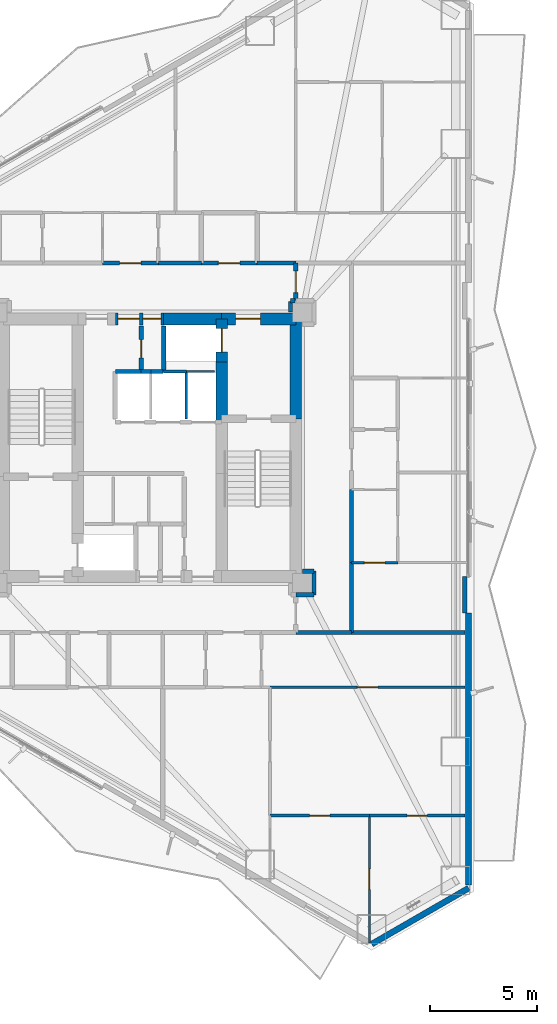
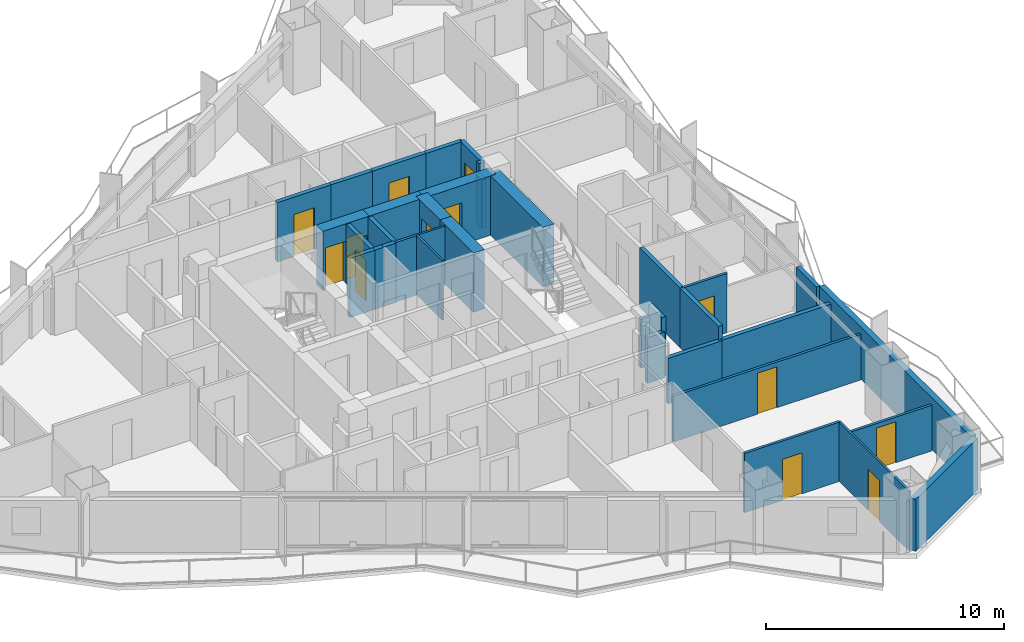
# One storey, part 15 of 19: 36 walls, 13 doors, 13 openings.
"""IFC4 building model written with IfcOpenShell, lengths in metres."""

from ifc_helpers import new_model, si_unit, direction, frame, frame_2d, origin, place, context, subcontext, project, spatial, rectangle, extrude, material, layer, layer_set, type_object, element, fill, save


model = new_model("IFC4")

# Units and contexts
model_context = context("Model", 3, precision=1e-05, world=origin(), true_north=direction((0.0, 1.0)))
body_context = subcontext(model_context, "Body", "Model", "MODEL_VIEW")
ifc_project = project(units=[si_unit("LENGTHUNIT", "METRE"), si_unit("AREAUNIT", "SQUARE_METRE"), si_unit("VOLUMEUNIT", "CUBIC_METRE"), si_unit("PLANEANGLEUNIT", "RADIAN"), si_unit("MASSUNIT", "GRAM", prefix="KILO")], contexts=[model_context])

# Site, building, storey
site_placement = place(None, origin())
site = spatial("IfcSite", under=ifc_project, at=site_placement, CompositionType="ELEMENT")
building_placement = place(site_placement, origin())
building = spatial("IfcBuilding", under=site, at=building_placement, Name="Mersakhor Tower and Convention Hall", CompositionType="ELEMENT")
storey_placement = place(building_placement, frame((0.0, 0.0, 25.800048828125)))
storey = spatial("IfcBuildingStorey", under=building, at=storey_placement, Name="L06", CompositionType="ELEMENT", Elevation=25.800048828125)

# Walls
ifc_material_1 = material(Name="Precast concrete C45/55", Category="concrete")
ifc_layer_1 = layer(ifc_material_1, 0.27490234375)
ifc_layer_set_1 = layer_set([ifc_layer_1], Name="Precast concrete C45/55")
wall_type_1 = type_object("IfcWallType", Name="WL-EXT-275", PredefinedType="SOLIDWALL", material=ifc_layer_set_1)
wall_1_placement = place(storey_placement, frame((43.85009765625, 6.240234375, 0.0), z_axis=(0.0, 0.0, 1.0), x_axis=(-0.866043601342, -0.499968479581, 0.0)))
element("IfcWall", 1, at=wall_1_placement, inside=storey, type_object=wall_type_1, Name="L06 Chamfer Braced Spandrel Wall C2", PredefinedType="SOLIDWALL", context=body_context, shape_type="SweptSolid", body=[
    extrude(rectangle(XDim=5.211181640625, YDim=0.27490234375, at=frame_2d((2.60546875, 0.0))), origin(), (0.0, 0.0, 1.0), 2.659912109375),
])
wall_2_placement = place(storey_placement, frame((43.85009765625, 19.0634765625, 0.0), z_axis=(0.0, 0.0, 1.0), x_axis=(0.0, -1.0, 0.0)))
element("IfcWall", 2, at=wall_2_placement, inside=storey, type_object=wall_type_1, Name="L06 Exterior Facade Wall F2-B3", PredefinedType="SOLIDWALL", context=body_context, shape_type="SweptSolid", body=[
    extrude(rectangle(XDim=12.673095703125, YDim=0.27490234375, at=frame_2d((6.33642578125, 0.0))), origin(), (0.0, 0.0, 1.0), 2.659912109375),
])
ifc_material_2 = material(Name="Precast concrete C40/50", Category="concrete")
ifc_layer_2 = layer(ifc_material_2, 0.199951171875)
ifc_layer_set_2 = layer_set([ifc_layer_2], Name="Precast concrete C40/50")
wall_type_2 = type_object("IfcWallType", Name="WL-PAR-200", PredefinedType="PARAPET", material=ifc_layer_set_2)
wall_3_placement = place(storey_placement, frame((43.669921875, 20.763427734375, 0.0), z_axis=(0.0, 0.0, 1.0), x_axis=(0.0, -1.0, 0.0)))
element("IfcWall", 3, at=wall_3_placement, inside=storey, type_object=wall_type_2, Name="L06 Column Pier Cladding Wall F2-C2", PredefinedType="PARAPET", context=body_context, shape_type="SweptSolid", body=[
    extrude(rectangle(XDim=1.699951171875, YDim=0.199951171875, at=frame_2d((0.85009765625, 0.0))), origin(), (0.0, 0.0, 1.0), 2.659912109375),
])
ifc_material_3 = material(Name="Lightweight gypsum partition", Category="other")
ifc_layer_3 = layer(ifc_material_3, 0.10009765625)
ifc_layer_set_3 = layer_set([ifc_layer_3], Name="Lightweight gypsum partition")
wall_type_3 = type_object("IfcWallType", Name="WL-PRT-100", PredefinedType="PARTITIONING", material=ifc_layer_set_3)
wall_4_placement = place(storey_placement, frame((32.02490234375, 30.300048828125, 0.0), z_axis=(0.0, 0.0, 1.0), x_axis=(-1.0, 0.0, 0.0)))
element("IfcWall", 4, at=wall_4_placement, inside=storey, type_object=wall_type_3, Name="L06 Interior Partition Wall P-004", PredefinedType="PARTITIONING", context=body_context, shape_type="SweptSolid", body=[
    extrude(rectangle(XDim=1.324951171875, YDim=0.10009765625, at=frame_2d((0.66259765625, 0.0))), origin(), (0.0, 0.0, 1.0), 3.0400390625),
])
wall_5_placement = place(storey_placement, frame((30.699951171875, 30.300048828125, 0.0), z_axis=(0.0, 0.0, 1.0), x_axis=(0.0, -1.0, 0.0)))
element("IfcWall", 5, at=wall_5_placement, inside=storey, type_object=wall_type_3, Name="L06 Interior Partition Wall P-018", PredefinedType="PARTITIONING", context=body_context, shape_type="SweptSolid", body=[
    extrude(rectangle(XDim=2.199951171875, YDim=0.10009765625, at=frame_2d((1.10009765625, 0.0))), origin(), (0.0, 0.0, 1.0), 3.0400390625),
])

# Wall, opening, door
wall_6_placement = place(storey_placement, frame((39.22998046875, 9.6201171875, 0.0), z_axis=(0.0, 0.0, 1.0), x_axis=(0.0, -1.0, 0.0)))
wall_6 = element("IfcWall", 6, at=wall_6_placement, inside=storey, type_object=wall_type_3, Name="L06 Interior Partition Wall P-136", PredefinedType="PARTITIONING", context=body_context, shape_type="SweptSolid", body=[
    extrude(rectangle(XDim=5.924072265625, YDim=0.10009765625, at=frame_2d((2.9619140625, 0.0))), origin(), (0.0, 0.0, 1.0), 3.0400390625),
])
opening_1_placement = place(wall_6_placement, frame((2.487060546875, 0.0, 0.0)))
opening_1 = element("IfcOpeningElement", 7, at=opening_1_placement, cuts=wall_6, Name="Opening RD-01", PredefinedType="OPENING", context=body_context, shape_type="SweptSolid", body=[
    extrude(rectangle(XDim=0.949951171875, YDim=2.10009765625, at=frame_2d((0.47509765625, 1.050048828125))), frame((0.0, 0.06005859375, 0.0), z_axis=(0.0, -1.0, 0.0), x_axis=(1.0, 0.0, 0.0)), (0.0, 0.0, 1.0), 0.1201171875),
])
ifc_material_4 = material(Name="Solid-core hardwood leaf in painted steel frame", Category="steel")
door_type_1 = type_object("IfcDoorType", Name="DR-INT-RM-095x210", OperationType="NOTDEFINED", PredefinedType="DOOR", material=ifc_material_4)
door_1_placement = place(opening_1_placement, origin())
door_1 = element("IfcDoor", 8, at=door_1_placement, inside=storey, type_object=door_type_1, Name="L06 L06 Flat S3 Bedroom 1 to L06 Flat S3 Study Room Door", OperationType="SINGLE_SWING_RIGHT", OverallHeight=2.10009765625, OverallWidth=0.949951171875, PredefinedType="DOOR", context=body_context, shape_type="SweptSolid", body=[
    extrude(rectangle(XDim=0.949951171875, YDim=2.10009765625, at=frame_2d((0.47509765625, 1.050048828125))), frame((0.0, 0.02490234375, 0.0), z_axis=(0.0, -1.0, 0.0), x_axis=(1.0, 0.0, 0.0)), (0.0, 0.0, 1.0), 0.050048828125),
])
fill(opening_1, door_1)

# Wall
ifc_material_5 = material(Name="Gypsum board acoustic partition", Category="other")
ifc_layer_4 = layer(ifc_material_5, 0.125)
ifc_layer_set_4 = layer_set([ifc_layer_4], Name="Gypsum board acoustic partition")
wall_type_4 = type_object("IfcWallType", Name="WL-PRT-125", PredefinedType="PARTITIONING", material=ifc_layer_set_4)
wall_7_placement = place(storey_placement, frame((30.699951171875, 30.300048828125, 0.0), z_axis=(0.0, 0.0, 1.0), x_axis=(-1.0, 0.0, 0.0)))
element("IfcWall", 9, at=wall_7_placement, inside=storey, type_object=wall_type_4, Name="L06 Interior Partition Wall P-005", PredefinedType="PARTITIONING", context=body_context, shape_type="SweptSolid", body=[
    extrude(rectangle(XDim=1.050048828125, YDim=0.125, at=frame_2d((0.52490234375, 0.0))), origin(), (0.0, 0.0, 1.0), 3.0400390625),
])

# Wall, opening, door
wall_8_placement = place(storey_placement, frame((43.6884765625, 15.60009765625, 0.0), z_axis=(0.0, 0.0, 1.0), x_axis=(-1.0, 0.0, 0.0)))
wall_8 = element("IfcWall", 10, at=wall_8_placement, inside=storey, type_object=wall_type_4, Name="L06 Interior Partition Wall P-095", PredefinedType="PARTITIONING", context=body_context, shape_type="SweptSolid", body=[
    extrude(rectangle(XDim=9.08837890625, YDim=0.125, at=frame_2d((4.544189453125, 0.0))), origin(), (0.0, 0.0, 1.0), 2.33740234375),
])
opening_2_placement = place(wall_8_placement, frame((4.069091796875, 0.0, 0.0)))
opening_2 = element("IfcOpeningElement", 11, at=opening_2_placement, cuts=wall_8, Name="Opening RD-01", PredefinedType="OPENING", context=body_context, shape_type="SweptSolid", body=[
    extrude(rectangle(XDim=0.949951171875, YDim=2.10009765625, at=frame_2d((0.47509765625, 1.050048828125))), frame((0.0, 0.072509765625, 0.0), z_axis=(0.0, -1.0, 0.0), x_axis=(1.0, 0.0, 0.0)), (0.0, 0.0, 1.0), 0.14501953125),
])
door_2_placement = place(opening_2_placement, origin())
door_2 = element("IfcDoor", 12, at=door_2_placement, inside=storey, type_object=door_type_1, Name="L06 L06 Flat S3 Kitchen to L06 Flat S3 Dining Room Door", OperationType="SINGLE_SWING_RIGHT", OverallHeight=2.10009765625, OverallWidth=0.949951171875, PredefinedType="DOOR", context=body_context, shape_type="SweptSolid", body=[
    extrude(rectangle(XDim=0.949951171875, YDim=2.10009765625, at=frame_2d((0.47509765625, 1.050048828125))), frame((0.0, 0.02490234375, 0.0), z_axis=(0.0, -1.0, 0.0), x_axis=(1.0, 0.0, 0.0)), (0.0, 0.0, 1.0), 0.050048828125),
])
fill(opening_2, door_2)

wall_9_placement = place(storey_placement, frame((38.39990234375, 21.39990234375, 0.0), z_axis=(0.0, 0.0, 1.0), x_axis=(1.0, 0.0, 0.0)))
wall_9 = element("IfcWall", 13, at=wall_9_placement, inside=storey, type_object=wall_type_4, Name="L06 Interior Partition Wall P-103", PredefinedType="PARTITIONING", context=body_context, shape_type="SweptSolid", body=[
    extrude(rectangle(XDim=2.150146484375, YDim=0.125, at=frame_2d((1.0751953125, 0.0))), origin(), (0.0, 0.0, 1.0), 3.0400390625),
])
opening_3_placement = place(wall_9_placement, frame((0.60009765625, 0.0, 0.0)))
opening_3 = element("IfcOpeningElement", 14, at=opening_3_placement, cuts=wall_9, Name="Opening RD-01", PredefinedType="OPENING", context=body_context, shape_type="SweptSolid", body=[
    extrude(rectangle(XDim=0.949951171875, YDim=2.10009765625, at=frame_2d((0.47509765625, 1.050048828125))), frame((0.0, 0.072509765625, 0.0), z_axis=(0.0, -1.0, 0.0), x_axis=(1.0, 0.0, 0.0)), (0.0, 0.0, 1.0), 0.14501953125),
])
door_3_placement = place(opening_3_placement, origin())
door_3 = element("IfcDoor", 15, at=door_3_placement, inside=storey, type_object=door_type_1, Name="L06 L06 Flat E5 Kitchen to L06 Flat E5 Dining Alcove Door", OperationType="SINGLE_SWING_RIGHT", OverallHeight=2.10009765625, OverallWidth=0.949951171875, PredefinedType="DOOR", context=body_context, shape_type="SweptSolid", body=[
    extrude(rectangle(XDim=0.949951171875, YDim=2.10009765625, at=frame_2d((0.47509765625, 1.050048828125))), frame((0.0, 0.02490234375, 0.0), z_axis=(0.0, -1.0, 0.0), x_axis=(1.0, 0.0, 0.0)), (0.0, 0.0, 1.0), 0.050048828125),
])
fill(opening_3, door_3)

wall_10_placement = place(storey_placement, frame((34.60009765625, 9.6201171875, 0.0), z_axis=(0.0, 0.0, 1.0), x_axis=(1.0, 0.0, 0.0)))
wall_10 = element("IfcWall", 16, at=wall_10_placement, inside=storey, type_object=wall_type_4, Name="L06 Interior Partition Wall P-135", PredefinedType="PARTITIONING", context=body_context, shape_type="SweptSolid", body=[
    extrude(rectangle(XDim=4.6298828125, YDim=0.125, at=frame_2d((2.31494140625, 0.0))), origin(), (0.0, 0.0, 1.0), 3.0400390625),
])
opening_4_placement = place(wall_10_placement, frame((1.840087890625, 0.0, 0.0)))
opening_4 = element("IfcOpeningElement", 17, at=opening_4_placement, cuts=wall_10, Name="Opening RD-01", PredefinedType="OPENING", context=body_context, shape_type="SweptSolid", body=[
    extrude(rectangle(XDim=0.949951171875, YDim=2.10009765625, at=frame_2d((0.47509765625, 1.050048828125))), frame((0.0, 0.072509765625, 0.0), z_axis=(0.0, -1.0, 0.0), x_axis=(1.0, 0.0, 0.0)), (0.0, 0.0, 1.0), 0.14501953125),
])
door_4_placement = place(opening_4_placement, origin())
door_4 = element("IfcDoor", 18, at=door_4_placement, inside=storey, type_object=door_type_1, Name="L06 L06 Flat S3 Bedroom 1 to L06 Flat S3 Dining Room Door", OperationType="SINGLE_SWING_LEFT", OverallHeight=2.10009765625, OverallWidth=0.949951171875, PredefinedType="DOOR", context=body_context, shape_type="SweptSolid", body=[
    extrude(rectangle(XDim=0.949951171875, YDim=2.10009765625, at=frame_2d((0.47509765625, 1.050048828125))), frame((0.0, 0.02490234375, 0.0), z_axis=(0.0, -1.0, 0.0), x_axis=(1.0, 0.0, 0.0)), (0.0, 0.0, 1.0), 0.050048828125),
])
fill(opening_4, door_4)

wall_11_placement = place(storey_placement, frame((39.22998046875, 9.6201171875, 0.0), z_axis=(0.0, 0.0, 1.0), x_axis=(1.0, 0.0, 0.0)))
wall_11 = element("IfcWall", 19, at=wall_11_placement, inside=storey, type_object=wall_type_4, Name="L06 Interior Partition Wall P-137", PredefinedType="PARTITIONING", context=body_context, shape_type="SweptSolid", body=[
    extrude(rectangle(XDim=4.45849609375, YDim=0.125, at=frame_2d((2.229248046875, 0.0))), origin(), (0.0, 0.0, 1.0), 2.33740234375),
])
opening_5_placement = place(wall_11_placement, frame((1.75439453125, 0.0, 0.0)))
opening_5 = element("IfcOpeningElement", 20, at=opening_5_placement, cuts=wall_11, Name="Opening RD-01", PredefinedType="OPENING", context=body_context, shape_type="SweptSolid", body=[
    extrude(rectangle(XDim=0.949951171875, YDim=2.10009765625, at=frame_2d((0.47509765625, 1.050048828125))), frame((0.0, 0.072509765625, 0.0), z_axis=(0.0, -1.0, 0.0), x_axis=(1.0, 0.0, 0.0)), (0.0, 0.0, 1.0), 0.14501953125),
])
door_5_placement = place(opening_5_placement, origin())
door_5 = element("IfcDoor", 21, at=door_5_placement, inside=storey, type_object=door_type_1, Name="L06 L06 Flat S3 Study Room to L06 Flat S3 Dining Room Door", OperationType="SINGLE_SWING_RIGHT", OverallHeight=2.10009765625, OverallWidth=0.949951171875, PredefinedType="DOOR", context=body_context, shape_type="SweptSolid", body=[
    extrude(rectangle(XDim=0.949951171875, YDim=2.10009765625, at=frame_2d((0.47509765625, 1.050048828125))), frame((0.0, 0.02490234375, 0.0), z_axis=(0.0, -1.0, 0.0), x_axis=(1.0, 0.0, 0.0)), (0.0, 0.0, 1.0), 0.050048828125),
])
fill(opening_5, door_5)

# Walls
ifc_material_6 = material(Name="Acoustic concrete blockwork and gypsum board", Category="masonry")
ifc_layer_5 = layer(ifc_material_6, 0.199951171875)
ifc_layer_set_5 = layer_set([ifc_layer_5], Name="Acoustic concrete blockwork and gypsum board")
wall_type_5 = type_object("IfcWallType", Name="WL-PRT-200", PredefinedType="PARTITIONING", material=ifc_layer_set_5)
wall_12_placement = place(storey_placement, frame((29.64990234375, 30.300048828125, 0.0), z_axis=(0.0, 0.0, 1.0), x_axis=(0.0, 1.0, 0.0)))
element("IfcWall", 22, at=wall_12_placement, inside=storey, type_object=wall_type_5, Name="L06 Interior Partition Wall P-006", PredefinedType="PARTITIONING", context=body_context, shape_type="SweptSolid", body=[
    extrude(rectangle(XDim=2.125, YDim=0.199951171875, at=frame_2d((1.0625, 0.0))), origin(), (0.0, 0.0, 1.0), 3.0400390625),
])
wall_13_placement = place(storey_placement, frame((27.39990234375, 30.300048828125, 0.0), z_axis=(0.0, 0.0, 1.0), x_axis=(1.0, 0.0, 0.0)))
element("IfcWall", 23, at=wall_13_placement, inside=storey, type_object=wall_type_5, Name="L06 Interior Partition Wall P-013", PredefinedType="PARTITIONING", context=body_context, shape_type="SweptSolid", body=[
    extrude(rectangle(XDim=1.2001953125, YDim=0.199951171875, at=frame_2d((0.60009765625, 0.0))), origin(), (0.0, 0.0, 1.0), 3.0400390625),
])
wall_14_placement = place(storey_placement, frame((28.60009765625, 30.300048828125, 0.0), z_axis=(0.0, 0.0, 1.0), x_axis=(1.0, 0.0, 0.0)))
element("IfcWall", 24, at=wall_14_placement, inside=storey, type_object=wall_type_5, Name="L06 Interior Partition Wall P-014", PredefinedType="PARTITIONING", context=body_context, shape_type="SweptSolid", body=[
    extrude(rectangle(XDim=0.449951171875, YDim=0.199951171875, at=frame_2d((0.22509765625, 0.0))), origin(), (0.0, 0.0, 1.0), 3.0400390625),
])
wall_15_placement = place(storey_placement, frame((29.050048828125, 30.300048828125, 0.0), z_axis=(0.0, 0.0, 1.0), x_axis=(1.0, 0.0, 0.0)))
element("IfcWall", 25, at=wall_15_placement, inside=storey, type_object=wall_type_5, Name="L06 Interior Partition Wall P-017", PredefinedType="PARTITIONING", context=body_context, shape_type="SweptSolid", body=[
    extrude(rectangle(XDim=0.570068359375, YDim=0.199951171875, at=frame_2d((0.28515625, 0.0))), origin(), (0.0, 0.0, 1.0), 3.0400390625),
])

# Wall, opening, door
wall_16_placement = place(storey_placement, frame((28.60009765625, 32.425048828125, 0.0), z_axis=(0.0, 0.0, 1.0), x_axis=(0.0, -1.0, 0.0)))
wall_16 = element("IfcWall", 26, at=wall_16_placement, inside=storey, type_object=wall_type_5, Name="L06 Interior Partition Wall P-020", PredefinedType="PARTITIONING", context=body_context, shape_type="SweptSolid", body=[
    extrude(rectangle(XDim=2.125, YDim=0.199951171875, at=frame_2d((1.0625, 0.0))), origin(), (0.0, 0.0, 1.0), 3.0400390625),
])
opening_6_placement = place(wall_16_placement, frame((0.637451171875, 0.0, 0.0)))
opening_6 = element("IfcOpeningElement", 27, at=opening_6_placement, cuts=wall_16, Name="Opening SVD-01", PredefinedType="OPENING", context=body_context, shape_type="SweptSolid", body=[
    extrude(rectangle(XDim=0.85009765625, YDim=2.10009765625, at=frame_2d((0.425048828125, 1.050048828125))), frame((0.0, 0.10986328125, 0.0), z_axis=(0.0, -1.0, 0.0), x_axis=(1.0, 0.0, 0.0)), (0.0, 0.0, 1.0), 0.219970703125),
])
ifc_material_7 = material(Name="Fire-rated hardwood leaf and painted steel frame", Category="steel")
door_type_2 = type_object("IfcDoorType", Name="DR-INT-SVC-085x210", OperationType="NOTDEFINED", PredefinedType="DOOR", material=ifc_material_7)
door_6_placement = place(opening_6_placement, origin())
door_6 = element("IfcDoor", 28, at=door_6_placement, inside=storey, type_object=door_type_2, Name="L06 Central Passenger Lift Lobby to Cleaner Store Room Door", OperationType="SINGLE_SWING_RIGHT", OverallHeight=2.10009765625, OverallWidth=0.85009765625, PredefinedType="DOOR", context=body_context, shape_type="SweptSolid", body=[
    extrude(rectangle(XDim=0.85009765625, YDim=2.10009765625, at=frame_2d((0.425048828125, 1.050048828125))), frame((0.0, 0.02490234375, 0.0), z_axis=(0.0, -1.0, 0.0), x_axis=(1.0, 0.0, 0.0)), (0.0, 0.0, 1.0), 0.050048828125),
])
fill(opening_6, door_6)

wall_17_placement = place(storey_placement, frame((26.800048828125, 35.35009765625, 0.0), z_axis=(0.0, 0.0, 1.0), x_axis=(1.0, 0.0, 0.0)))
wall_17 = element("IfcWall", 29, at=wall_17_placement, inside=storey, type_object=wall_type_5, Name="L06 Interior Partition Wall P-042", PredefinedType="PARTITIONING", context=body_context, shape_type="SweptSolid", body=[
    extrude(rectangle(XDim=2.599853515625, YDim=0.199951171875, at=frame_2d((1.2998046875, 0.0))), origin(), (0.0, 0.0, 1.0), 3.0400390625),
])
opening_7_placement = place(wall_17_placement, frame((0.800048828125, 0.0, 0.0)))
opening_7 = element("IfcOpeningElement", 30, at=opening_7_placement, cuts=wall_17, Name="Opening FD-01", PredefinedType="OPENING", context=body_context, shape_type="SweptSolid", body=[
    extrude(rectangle(XDim=1.0, YDim=2.14990234375, at=frame_2d((0.5, 1.074951171875))), frame((0.0, 0.10986328125, 0.0), z_axis=(0.0, -1.0, 0.0), x_axis=(1.0, 0.0, 0.0)), (0.0, 0.0, 1.0), 0.219970703125),
])
ifc_material_8 = material(Name="Fire-rated hardwood leaf and painted steel frame", Category="steel")
door_type_3 = type_object("IfcDoorType", Name="DR-INT-FLT-100x215", OperationType="NOTDEFINED", PredefinedType="DOOR", material=ifc_material_8)
door_7_placement = place(opening_7_placement, origin())
door_7 = element("IfcDoor", 31, at=door_7_placement, inside=storey, type_object=door_type_3, Name="L06 Apartment Entrance Door (Residential Ring Corridor to L06 Flat N1 Apartment Hall)", OperationType="SINGLE_SWING_LEFT", OverallHeight=2.14990234375, OverallWidth=1.0, PredefinedType="DOOR", context=body_context, shape_type="SweptSolid", body=[
    extrude(rectangle(XDim=1.0, YDim=2.14990234375, at=frame_2d((0.5, 1.074951171875))), frame((0.0, 0.02490234375, 0.0), z_axis=(0.0, -1.0, 0.0), x_axis=(1.0, 0.0, 0.0)), (0.0, 0.0, 1.0), 0.050048828125),
])
fill(opening_7, door_7)

# Wall
wall_18_placement = place(storey_placement, frame((29.39990234375, 35.35009765625, 0.0), z_axis=(0.0, 0.0, 1.0), x_axis=(1.0, 0.0, 0.0)))
element("IfcWall", 32, at=wall_18_placement, inside=storey, type_object=wall_type_5, Name="L06 Interior Partition Wall P-043", PredefinedType="PARTITIONING", context=body_context, shape_type="SweptSolid", body=[
    extrude(rectangle(XDim=2.0, YDim=0.199951171875, at=frame_2d((1.0, 0.0))), origin(), (0.0, 0.0, 1.0), 3.0400390625),
])

# Wall, opening, door
wall_19_placement = place(storey_placement, frame((31.39990234375, 35.35009765625, 0.0), z_axis=(0.0, 0.0, 1.0), x_axis=(1.0, 0.0, 0.0)))
wall_19 = element("IfcWall", 33, at=wall_19_placement, inside=storey, type_object=wall_type_5, Name="L06 Interior Partition Wall P-044", PredefinedType="PARTITIONING", context=body_context, shape_type="SweptSolid", body=[
    extrude(rectangle(XDim=2.60009765625, YDim=0.199951171875, at=frame_2d((1.300048828125, 0.0))), origin(), (0.0, 0.0, 1.0), 3.0400390625),
])
opening_8_placement = place(wall_19_placement, frame((0.800048828125, 0.0, 0.0)))
opening_8 = element("IfcOpeningElement", 34, at=opening_8_placement, cuts=wall_19, Name="Opening FD-01", PredefinedType="OPENING", context=body_context, shape_type="SweptSolid", body=[
    extrude(rectangle(XDim=1.0, YDim=2.14990234375, at=frame_2d((0.5, 1.074951171875))), frame((0.0, 0.10986328125, 0.0), z_axis=(0.0, -1.0, 0.0), x_axis=(1.0, 0.0, 0.0)), (0.0, 0.0, 1.0), 0.219970703125),
])
door_8_placement = place(opening_8_placement, origin())
door_8 = element("IfcDoor", 35, at=door_8_placement, inside=storey, type_object=door_type_3, Name="L06 Residential Ring Corridor to L06 North Wing Shared Laundry Room Door", OperationType="SINGLE_SWING_RIGHT", OverallHeight=2.14990234375, OverallWidth=1.0, PredefinedType="DOOR", context=body_context, shape_type="SweptSolid", body=[
    extrude(rectangle(XDim=1.0, YDim=2.14990234375, at=frame_2d((0.5, 1.074951171875))), frame((0.0, 0.02490234375, 0.0), z_axis=(0.0, -1.0, 0.0), x_axis=(1.0, 0.0, 0.0)), (0.0, 0.0, 1.0), 0.050048828125),
])
fill(opening_8, door_8)

# Wall
wall_20_placement = place(storey_placement, frame((34.0, 35.35009765625, 0.0), z_axis=(0.0, 0.0, 1.0), x_axis=(1.0, 0.0, 0.0)))
element("IfcWall", 36, at=wall_20_placement, inside=storey, type_object=wall_type_5, Name="L06 Interior Partition Wall P-045", PredefinedType="PARTITIONING", context=body_context, shape_type="SweptSolid", body=[
    extrude(rectangle(XDim=1.800048828125, YDim=0.199951171875, at=frame_2d((0.89990234375, 0.0))), origin(), (0.0, 0.0, 1.0), 3.0400390625),
])

# Wall, opening, door
wall_21_placement = place(storey_placement, frame((35.800048828125, 35.35009765625, 0.0), z_axis=(0.0, 0.0, 1.0), x_axis=(0.0, -1.0, 0.0)))
wall_21 = element("IfcWall", 37, at=wall_21_placement, inside=storey, type_object=wall_type_5, Name="L06 Interior Partition Wall P-046", PredefinedType="PARTITIONING", context=body_context, shape_type="SweptSolid", body=[
    extrude(rectangle(XDim=1.75, YDim=0.199951171875, at=frame_2d((0.875, 0.0))), origin(), (0.0, 0.0, 1.0), 3.0400390625),
])
opening_9_placement = place(wall_21_placement, frame((0.375, 0.0, 0.0)))
opening_9 = element("IfcOpeningElement", 38, at=opening_9_placement, cuts=wall_21, Name="Opening FD-01", PredefinedType="OPENING", context=body_context, shape_type="SweptSolid", body=[
    extrude(rectangle(XDim=1.0, YDim=2.14990234375, at=frame_2d((0.5, 1.074951171875))), frame((0.0, 0.10986328125, 0.0), z_axis=(0.0, -1.0, 0.0), x_axis=(1.0, 0.0, 0.0)), (0.0, 0.0, 1.0), 0.219970703125),
])
door_9_placement = place(opening_9_placement, origin())
door_9 = element("IfcDoor", 39, at=door_9_placement, inside=storey, type_object=door_type_3, Name="L06 Ring Corridor Fire Door", OperationType="SINGLE_SWING_RIGHT", OverallHeight=2.14990234375, OverallWidth=1.0, PredefinedType="DOOR", context=body_context, shape_type="SweptSolid", body=[
    extrude(rectangle(XDim=1.0, YDim=2.14990234375, at=frame_2d((0.5, 1.074951171875))), frame((0.0, 0.02490234375, 0.0), z_axis=(0.0, -1.0, 0.0), x_axis=(1.0, 0.0, 0.0)), (0.0, 0.0, 1.0), 0.050048828125),
])
fill(opening_9, door_9)

# Walls
wall_22_placement = place(storey_placement, frame((35.77001953125, 33.60009765625, 0.0), z_axis=(0.0, 0.0, 1.0), x_axis=(-1.0, 0.0, 0.0)))
element("IfcWall", 40, at=wall_22_placement, inside=storey, type_object=wall_type_5, Name="L06 Interior Partition Wall P-047", PredefinedType="PARTITIONING", context=body_context, shape_type="SweptSolid", body=[
    extrude(rectangle(XDim=0.219970703125, YDim=0.199951171875, at=frame_2d((0.10986328125, 0.0))), origin(), (0.0, 0.0, 1.0), 3.0400390625),
])
wall_23_placement = place(storey_placement, frame((35.550048828125, 33.570068359375, 0.0), z_axis=(0.0, 0.0, 1.0), x_axis=(0.0, -1.0, 0.0)))
element("IfcWall", 41, at=wall_23_placement, inside=storey, type_object=wall_type_5, Name="L06 Interior Partition Wall P-048", PredefinedType="PARTITIONING", context=body_context, shape_type="SweptSolid", body=[
    extrude(rectangle(XDim=0.4951171875, YDim=0.199951171875, at=frame_2d((0.24755859375, 0.0))), origin(), (0.0, 0.0, 1.0), 2.48828125),
])
wall_24_placement = place(storey_placement, frame((36.64990234375, 21.0, 0.0), z_axis=(0.0, 0.0, 1.0), x_axis=(-1.0, 0.0, 0.0)))
element("IfcWall", 42, at=wall_24_placement, inside=storey, type_object=wall_type_5, Name="L06 Interior Partition Wall P-055", PredefinedType="PARTITIONING", context=body_context, shape_type="SweptSolid", body=[
    extrude(rectangle(XDim=0.52490234375, YDim=0.199951171875, at=frame_2d((0.262451171875, 0.0))), origin(), (0.0, 0.0, 1.0), 2.48828125),
])
wall_25_placement = place(storey_placement, frame((38.39990234375, 24.800048828125, 0.0), z_axis=(0.0, 0.0, 1.0), x_axis=(0.0, -1.0, 0.0)))
element("IfcWall", 43, at=wall_25_placement, inside=storey, type_object=wall_type_5, Name="L06 Interior Partition Wall P-063", PredefinedType="PARTITIONING", context=body_context, shape_type="SweptSolid", body=[
    extrude(rectangle(XDim=3.400146484375, YDim=0.199951171875, at=frame_2d((1.7001953125, 0.0))), origin(), (0.0, 0.0, 1.0), 3.0400390625),
])
wall_26_placement = place(storey_placement, frame((38.39990234375, 21.39990234375, 0.0), z_axis=(0.0, 0.0, 1.0), x_axis=(0.0, -1.0, 0.0)))
element("IfcWall", 44, at=wall_26_placement, inside=storey, type_object=wall_type_5, Name="L06 Interior Partition Wall P-064", PredefinedType="PARTITIONING", context=body_context, shape_type="SweptSolid", body=[
    extrude(rectangle(XDim=3.25, YDim=0.199951171875, at=frame_2d((1.625, 0.0))), origin(), (0.0, 0.0, 1.0), 3.0400390625),
])
wall_27_placement = place(storey_placement, frame((38.39990234375, 18.14990234375, 0.0), z_axis=(0.0, 0.0, 1.0), x_axis=(-1.0, 0.0, 0.0)))
element("IfcWall", 45, at=wall_27_placement, inside=storey, type_object=wall_type_5, Name="L06 Interior Partition Wall P-065", PredefinedType="PARTITIONING", context=body_context, shape_type="SweptSolid", body=[
    extrude(rectangle(XDim=2.599853515625, YDim=0.199951171875, at=frame_2d((1.2998046875, 0.0))), origin(), (0.0, 0.0, 1.0), 2.33740234375),
])
wall_28_placement = place(storey_placement, frame((35.800048828125, 19.89990234375, 0.0), z_axis=(0.0, 0.0, 1.0), x_axis=(1.0, 0.0, 0.0)))
element("IfcWall", 46, at=wall_28_placement, inside=storey, type_object=wall_type_5, Name="L06 Interior Partition Wall P-066", PredefinedType="PARTITIONING", context=body_context, shape_type="SweptSolid", body=[
    extrude(rectangle(XDim=0.849853515625, YDim=0.199951171875, at=frame_2d((0.4248046875, 0.0))), origin(), (0.0, 0.0, 1.0), 2.33740234375),
])
wall_29_placement = place(storey_placement, frame((36.64990234375, 19.89990234375, 0.0), z_axis=(0.0, 0.0, 1.0), x_axis=(0.0, 1.0, 0.0)))
element("IfcWall", 47, at=wall_29_placement, inside=storey, type_object=wall_type_5, Name="L06 Interior Partition Wall P-067", PredefinedType="PARTITIONING", context=body_context, shape_type="SweptSolid", body=[
    extrude(rectangle(XDim=1.10009765625, YDim=0.199951171875, at=frame_2d((0.550048828125, 0.0))), origin(), (0.0, 0.0, 1.0), 3.0400390625),
])
wall_30_placement = place(storey_placement, frame((38.39990234375, 18.14990234375, 0.0), z_axis=(0.0, 0.0, 1.0), x_axis=(1.0, 0.0, 0.0)))
element("IfcWall", 48, at=wall_30_placement, inside=storey, type_object=wall_type_5, Name="L06 Interior Partition Wall P-094", PredefinedType="PARTITIONING", context=body_context, shape_type="SweptSolid", body=[
    extrude(rectangle(XDim=5.28857421875, YDim=0.199951171875, at=frame_2d((2.644287109375, 0.0))), origin(), (0.0, 0.0, 1.0), 2.364990234375),
])

# Wall, openings, doors
ifc_material_9 = material(Name="Concrete C70/85", Category="concrete")
ifc_layer_6 = layer(ifc_material_9, 0.550048828125)
ifc_layer_set_6 = layer_set([ifc_layer_6], Name="Concrete C70/85")
wall_type_6 = type_object("IfcWallType", Name="WL-SHR-550", PredefinedType="SHEAR", material=ifc_layer_set_6)
wall_31_placement = place(storey_placement, frame((27.39990234375, 32.75, 0.0), z_axis=(0.0, 0.0, 1.0), x_axis=(1.0, 0.0, 0.0)))
wall_31 = element("IfcWall", 49, at=wall_31_placement, inside=storey, type_object=wall_type_6, Name="L06 Core Wall CW-N2B", PredefinedType="SHEAR", context=body_context, shape_type="SweptSolid", body=[
    extrude(rectangle(XDim=2.25, YDim=0.550048828125, at=frame_2d((1.125, 0.0))), origin(), (0.0, 0.0, 1.0), 3.0400390625),
])
opening_10_placement = place(wall_31_placement, frame((0.1201171875, 0.0, 0.0)))
opening_10 = element("IfcOpeningElement", 50, at=opening_10_placement, cuts=wall_31, Name="Opening FD-01", PredefinedType="OPENING", context=body_context, shape_type="SweptSolid", body=[
    extrude(rectangle(XDim=1.0, YDim=2.14990234375, at=frame_2d((0.5, 1.074951171875))), frame((0.0, 0.284912109375, 0.0), z_axis=(0.0, -1.0, 0.0), x_axis=(1.0, 0.0, 0.0)), (0.0, 0.0, 1.0), 0.570068359375),
])
opening_11_placement = place(wall_31_placement, frame((1.280029296875, 0.0, 0.0)))
opening_11 = element("IfcOpeningElement", 51, at=opening_11_placement, cuts=wall_31, Name="Opening SVD-01", PredefinedType="OPENING", context=body_context, shape_type="SweptSolid", body=[
    extrude(rectangle(XDim=0.85009765625, YDim=2.10009765625, at=frame_2d((0.425048828125, 1.050048828125))), frame((0.0, 0.284912109375, 0.0), z_axis=(0.0, -1.0, 0.0), x_axis=(1.0, 0.0, 0.0)), (0.0, 0.0, 1.0), 0.570068359375),
])
door_10_placement = place(opening_10_placement, origin())
door_10 = element("IfcDoor", 52, at=door_10_placement, inside=storey, type_object=door_type_3, Name="L06 Central Passenger Lift Lobby to Residential Ring Corridor Door", OperationType="SINGLE_SWING_RIGHT", OverallHeight=2.14990234375, OverallWidth=1.0, PredefinedType="DOOR", context=body_context, shape_type="SweptSolid", body=[
    extrude(rectangle(XDim=1.0, YDim=2.14990234375, at=frame_2d((0.5, 1.074951171875))), frame((0.0, 0.02490234375, 0.0), z_axis=(0.0, -1.0, 0.0), x_axis=(1.0, 0.0, 0.0)), (0.0, 0.0, 1.0), 0.050048828125),
])
fill(opening_10, door_10)
door_11_placement = place(opening_11_placement, origin())
door_11 = element("IfcDoor", 53, at=door_11_placement, inside=storey, type_object=door_type_2, Name="L06 Residential Ring Corridor to Cleaner Store Room Door", OperationType="SINGLE_SWING_LEFT", OverallHeight=2.10009765625, OverallWidth=0.85009765625, PredefinedType="DOOR", context=body_context, shape_type="SweptSolid", body=[
    extrude(rectangle(XDim=0.85009765625, YDim=2.10009765625, at=frame_2d((0.425048828125, 1.050048828125))), frame((0.0, 0.02490234375, 0.0), z_axis=(0.0, -1.0, 0.0), x_axis=(1.0, 0.0, 0.0)), (0.0, 0.0, 1.0), 0.050048828125),
])
fill(opening_11, door_11)

# Wall
wall_32_placement = place(storey_placement, frame((29.64990234375, 32.75, 0.0), z_axis=(0.0, 0.0, 1.0), x_axis=(1.0, 0.0, 0.0)))
element("IfcWall", 54, at=wall_32_placement, inside=storey, type_object=wall_type_6, Name="L06 Core Wall CW-N3", PredefinedType="SHEAR", context=body_context, shape_type="SweptSolid", body=[
    extrude(rectangle(XDim=2.7001953125, YDim=0.550048828125, at=frame_2d((1.35009765625, 0.0))), origin(), (0.0, 0.0, 1.0), 3.0400390625),
])

# Wall, opening, door
wall_33_placement = place(storey_placement, frame((32.35009765625, 32.75, 0.0), z_axis=(0.0, 0.0, 1.0), x_axis=(1.0, 0.0, 0.0)))
wall_33 = element("IfcWall", 55, at=wall_33_placement, inside=storey, type_object=wall_type_6, Name="L06 Core Wall CW-N4", PredefinedType="SHEAR", context=body_context, shape_type="SweptSolid", body=[
    extrude(rectangle(XDim=3.449951171875, YDim=0.550048828125, at=frame_2d((1.72509765625, 0.0))), origin(), (0.0, 0.0, 1.0), 3.0400390625),
])
opening_12_placement = place(wall_33_placement, frame((0.64990234375, 0.0, 0.0)))
opening_12 = element("IfcOpeningElement", 56, at=opening_12_placement, cuts=wall_33, Name="Opening SD-01", PredefinedType="OPENING", context=body_context, shape_type="SweptSolid", body=[
    extrude(rectangle(XDim=1.14990234375, YDim=2.14990234375, at=frame_2d((0.574951171875, 1.074951171875))), frame((0.0, 0.284912109375, 0.0), z_axis=(0.0, -1.0, 0.0), x_axis=(1.0, 0.0, 0.0)), (0.0, 0.0, 1.0), 0.570068359375),
])
ifc_material_10 = material(Name="Fire-rated hardwood leaf and painted steel frame", Category="steel")
door_type_4 = type_object("IfcDoorType", Name="DR-INT-STAIR-115x215", OperationType="NOTDEFINED", PredefinedType="DOOR", material=ifc_material_10)
door_12_placement = place(opening_12_placement, origin())
door_12 = element("IfcDoor", 57, at=door_12_placement, inside=storey, type_object=door_type_4, Name="L06 Firefighting Lobby East Fire Door", OperationType="SINGLE_SWING_RIGHT", OverallHeight=2.14990234375, OverallWidth=1.14990234375, PredefinedType="DOOR", context=body_context, shape_type="SweptSolid", body=[
    extrude(rectangle(XDim=1.14990234375, YDim=2.14990234375, at=frame_2d((0.574951171875, 1.074951171875))), frame((0.0, 0.02490234375, 0.0), z_axis=(0.0, -1.0, 0.0), x_axis=(1.0, 0.0, 0.0)), (0.0, 0.0, 1.0), 0.050048828125),
])
fill(opening_12, door_12)

# Walls
wall_34_placement = place(storey_placement, frame((35.800048828125, 32.75, 0.0), z_axis=(0.0, 0.0, 1.0), x_axis=(0.0, -1.0, 0.0)))
element("IfcWall", 58, at=wall_34_placement, inside=storey, type_object=wall_type_6, Name="L06 Core Wall CW-E1", PredefinedType="SHEAR", context=body_context, shape_type="SweptSolid", body=[
    extrude(rectangle(XDim=4.64990234375, YDim=0.550048828125, at=frame_2d((2.324951171875, 0.0))), origin(), (0.0, 0.0, 1.0), 3.0400390625),
])
wall_35_placement = place(storey_placement, frame((32.35009765625, 27.949951171875, 0.0), z_axis=(0.0, 0.0, 1.0), x_axis=(0.0, 1.0, 0.0)))
element("IfcWall", 59, at=wall_35_placement, inside=storey, type_object=wall_type_6, Name="L06 Core Wall CS-E-MID", PredefinedType="SHEAR", context=body_context, shape_type="SweptSolid", body=[
    extrude(rectangle(XDim=2.800048828125, YDim=0.550048828125, at=frame_2d((1.39990234375, 0.0))), origin(), (0.0, 0.0, 1.0), 3.0400390625),
])

# Wall, opening, door
wall_36_placement = place(storey_placement, frame((32.35009765625, 30.75, 0.0), z_axis=(0.0, 0.0, 1.0), x_axis=(0.0, 1.0, 0.0)))
wall_36 = element("IfcWall", 60, at=wall_36_placement, inside=storey, type_object=wall_type_6, Name="L06 Core Wall CS-E-FFL", PredefinedType="SHEAR", context=body_context, shape_type="SweptSolid", body=[
    extrude(rectangle(XDim=2.0, YDim=0.550048828125, at=frame_2d((1.0, 0.0))), origin(), (0.0, 0.0, 1.0), 3.0400390625),
])
opening_13_placement = place(wall_36_placement, frame((0.449951171875, 0.0, 0.0)))
opening_13 = element("IfcOpeningElement", 61, at=opening_13_placement, cuts=wall_36, Name="Opening LD-FFL2", PredefinedType="OPENING", context=body_context, shape_type="SweptSolid", body=[
    extrude(rectangle(XDim=1.10009765625, YDim=2.14990234375, at=frame_2d((0.550048828125, 1.074951171875))), frame((0.0, 0.284912109375, 0.0), z_axis=(0.0, -1.0, 0.0), x_axis=(1.0, 0.0, 0.0)), (0.0, 0.0, 1.0), 0.570068359375),
])
ifc_material_11 = material(Name="Fire-rated brushed stainless steel sliding landing door", Category="steel")
door_type_5 = type_object("IfcDoorType", Name="DR-LIFT-SLD-110x215", OperationType="NOTDEFINED", PredefinedType="DOOR", material=ifc_material_11)
door_13_placement = place(opening_13_placement, origin())
door_13 = element("IfcDoor", 62, at=door_13_placement, inside=storey, type_object=door_type_5, Name="L06 Firefighting Lift Landing Door LD-FFL2", OperationType="SLIDING_TO_LEFT", OverallHeight=2.14990234375, OverallWidth=1.10009765625, PredefinedType="DOOR", context=body_context, shape_type="SweptSolid", body=[
    extrude(rectangle(XDim=1.10009765625, YDim=2.14990234375, at=frame_2d((0.550048828125, 1.074951171875))), frame((0.0, 0.02490234375, 0.0), z_axis=(0.0, -1.0, 0.0), x_axis=(1.0, 0.0, 0.0)), (0.0, 0.0, 1.0), 0.050048828125),
])
fill(opening_13, door_13)

save(model, "model.ifc")
